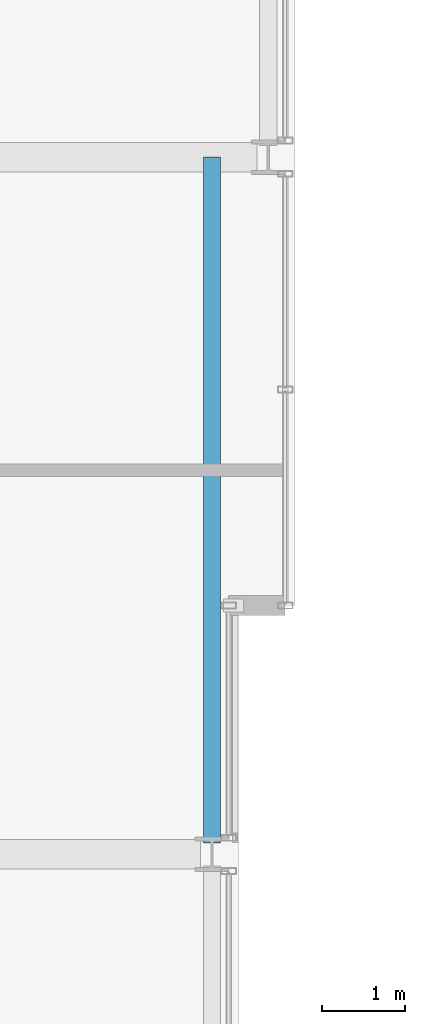
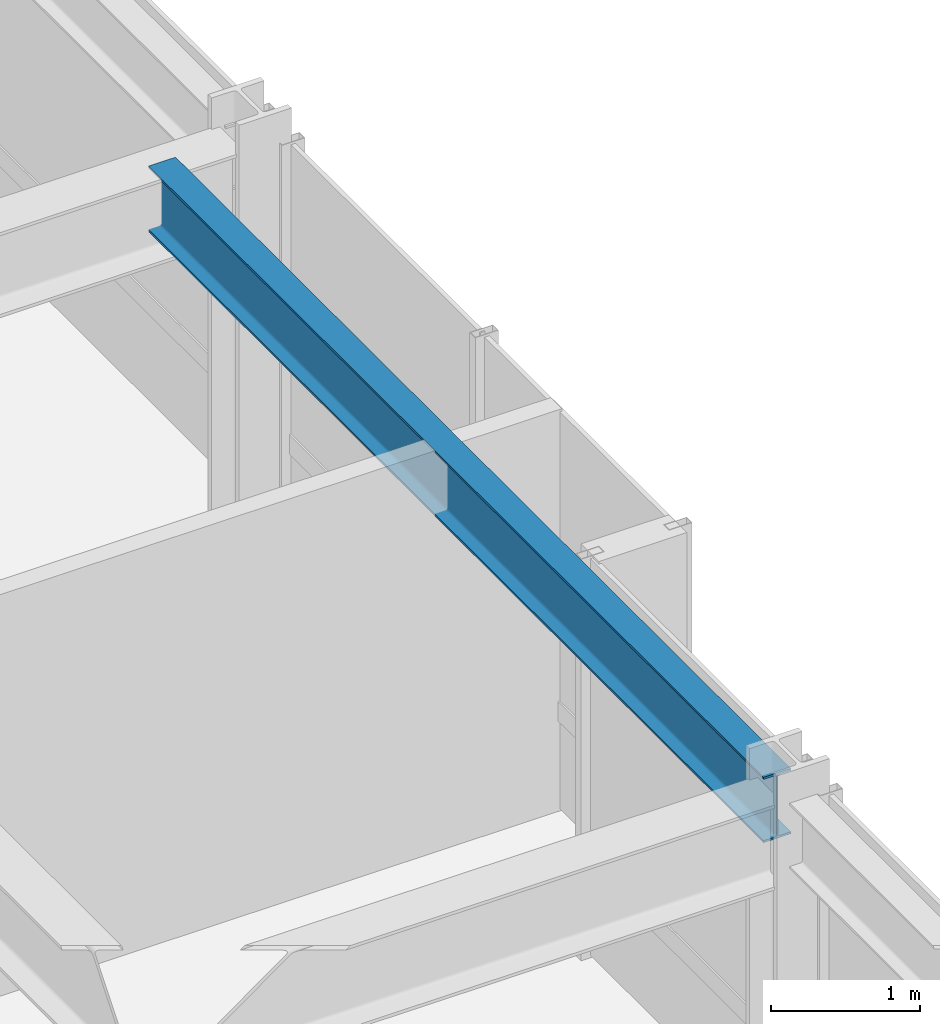
# One storey, part 16 of 33: 1 beam.
"""IFC4 building model written with IfcOpenShell, lengths in metres."""

from ifc_helpers import new_model, si_unit, direction, frame, origin, origin_2d, place, context, subcontext, project, spatial, i_section, extrude, material, material_profile, profile_set, type_object, element, save


model = new_model("IFC4")

# Units and contexts
model_context = context("Model", 3, precision=1e-05, world=origin(), true_north=direction((0.0, 1.0)))
body_context = subcontext(model_context, "Body", "Model", "MODEL_VIEW")
ifc_project = project(units=[si_unit("LENGTHUNIT", "METRE"), si_unit("AREAUNIT", "SQUARE_METRE"), si_unit("VOLUMEUNIT", "CUBIC_METRE"), si_unit("PLANEANGLEUNIT", "RADIAN"), si_unit("MASSUNIT", "GRAM", prefix="KILO")], contexts=[model_context])

# Site, building, storey
site_placement = place(None, origin())
site = spatial("IfcSite", under=ifc_project, at=site_placement, CompositionType="ELEMENT")
building_placement = place(site_placement, origin())
building = spatial("IfcBuilding", under=site, at=building_placement, Name="Drelvath Grand Hotel", CompositionType="ELEMENT")
storey_placement = place(building_placement, frame((0.0, 0.0, 161.050048828125)))
storey = spatial("IfcBuildingStorey", under=building, at=storey_placement, Name="L41", CompositionType="ELEMENT", Elevation=161.050048828125)

# Beam
ifc_material = material(Name="Steel ASTM A992 Gr 50", Category="steel")
ifc_material_profile = material_profile(ifc_material, i_section(OverallWidth=0.210205078125, OverallDepth=0.53662109375, WebThickness=0.010986328125, FlangeThickness=0.017333984375, FilletRadius=0.01806640625, at=origin_2d()), Name="W21X68")
ifc_profile_set = profile_set([ifc_material_profile], Name="Steel ASTM A992 Gr 50")
beam_type = type_object("IfcBeamType", Name="Perimeter Spandrel Beam W21X68", PredefinedType="SPANDREL", material=ifc_profile_set)
beam_placement = place(storey_placement, frame((21.199951171875, 27.139892578125, 3.021728515625), z_axis=(0.0, 1.0, 0.0), x_axis=(-1.0, 0.0, 0.0)))
element("IfcBeam", 1, at=beam_placement, inside=storey, type_object=beam_type, Name="L41 Spandrel East Mid N", PredefinedType="SPANDREL", context=body_context, shape_type="SweptSolid", body=[
    extrude(i_section(OverallWidth=0.210205078125, OverallDepth=0.53662109375, WebThickness=0.010986328125, FlangeThickness=0.017333984375, FilletRadius=0.01806640625, at=origin_2d()), origin(), (0.0, 0.0, 1.0), 8.260009765625),
])

save(model, "model.ifc")
